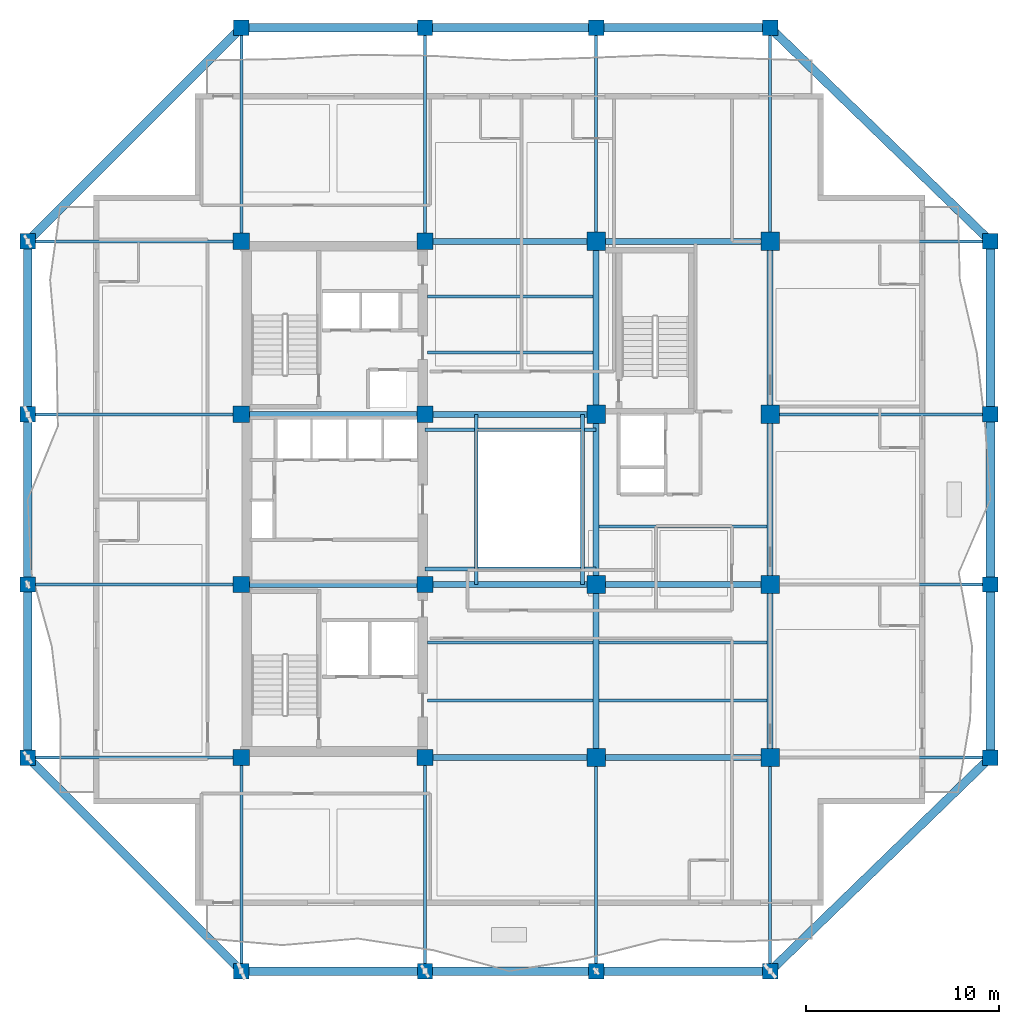
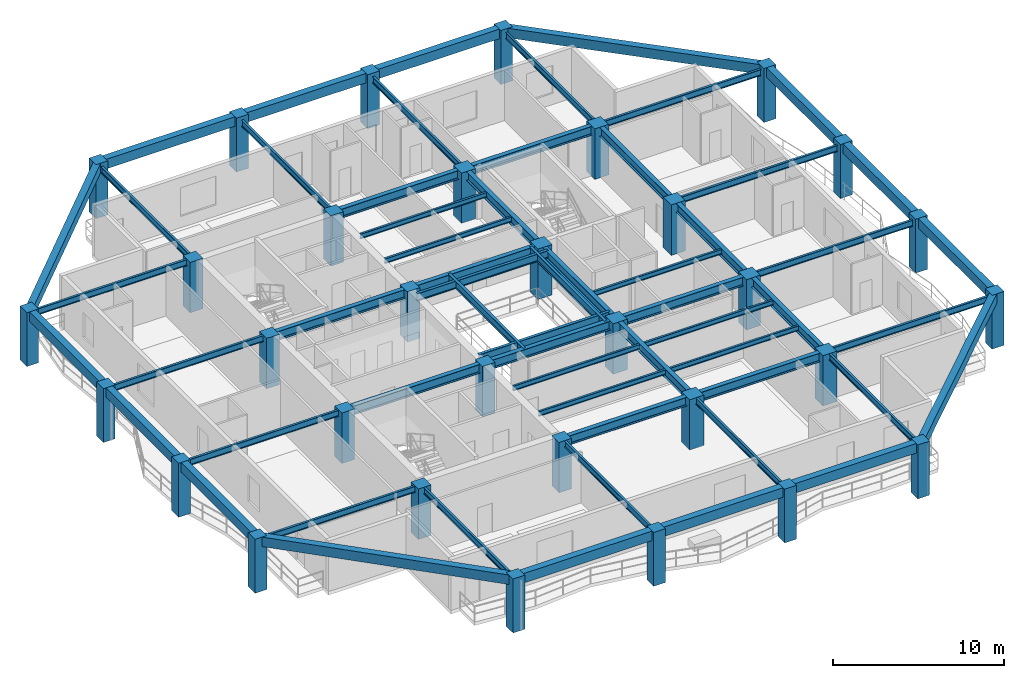
# One storey, part 1 of 12: 58 beams, 32 columns.
"""IFC4 building model written with IfcOpenShell, lengths in metres."""

from ifc_helpers import new_model, si_unit, direction, frame, origin, origin_2d, place, context, subcontext, project, spatial, rectangle, i_section, extrude, material, material_profile, profile_set, type_object, element, save


model = new_model("IFC4")

# Units and contexts
model_context = context("Model", 3, precision=1e-05, world=origin(), true_north=direction((0.0, 1.0)))
body_context = subcontext(model_context, "Body", "Model", "MODEL_VIEW")
ifc_project = project(units=[si_unit("LENGTHUNIT", "METRE"), si_unit("AREAUNIT", "SQUARE_METRE"), si_unit("VOLUMEUNIT", "CUBIC_METRE"), si_unit("PLANEANGLEUNIT", "RADIAN"), si_unit("MASSUNIT", "GRAM", prefix="KILO")], contexts=[model_context])

# Site, building, storey
site_placement = place(None, origin())
site = spatial("IfcSite", under=ifc_project, at=site_placement, CompositionType="ELEMENT")
building_placement = place(site_placement, origin())
building = spatial("IfcBuilding", under=site, at=building_placement, Name="Kundavana Baori Tower", CompositionType="ELEMENT")
storey_placement = place(building_placement, frame((0.0, 0.0, 196.39990234375)))
storey = spatial("IfcBuildingStorey", under=building, at=storey_placement, Name="L48", CompositionType="ELEMENT", Elevation=196.39990234375)

# Columns
ifc_material_1 = material(Name="Concrete C50/60", Category="concrete")
ifc_material_profile_1 = material_profile(ifc_material_1, rectangle(XDim=0.800048828125, YDim=0.800048828125, at=origin_2d()), Name="RC PF 800x800")
ifc_profile_set_1 = profile_set([ifc_material_profile_1], Name="Concrete C50/60")
column_type_1 = type_object("IfcColumnType", Name="COL-PF-800", PredefinedType="COLUMN", material=ifc_profile_set_1)
for number, where, z_axis, x_axis, name in (
    (1, (15.449951171875, 4.199951171875, 0.0), (0.0, 0.0, 1.0), (1.0, 0.0, 0.0), "L48 Stone-Clad Perimeter Frame Column PF-S1"),
    (2, (15.449951171875, 53.0, 0.0), (0.0, 0.0, 1.0), (1.0, 0.0, 0.0), "L48 Stone-Clad Perimeter Frame Column PF-N1"),
    (3, (24.949951171875, 4.199951171875, 0.0), (0.0, 0.0, 1.0), (1.0, 0.0, 0.0), "L48 Stone-Clad Perimeter Frame Column PF-S2"),
    (4, (24.949951171875, 53.0, 0.0), (0.0, 0.0, 1.0), (1.0, 0.0, 0.0), "L48 Stone-Clad Perimeter Frame Column PF-N2"),
    (5, (33.800048828125, 4.199951171875, 0.0), (0.0, 0.0, 1.0), (1.0, 0.0, 0.0), "L48 Stone-Clad Perimeter Frame Column PF-S3"),
    (6, (33.800048828125, 53.0, 0.0), (0.0, 0.0, 1.0), (1.0, 0.0, 0.0), "L48 Stone-Clad Perimeter Frame Column PF-N3"),
    (7, (42.800048828125, 4.199951171875, 0.0), (0.0, 0.0, 1.0), (1.0, 0.0, 0.0), "L48 Stone-Clad Perimeter Frame Column PF-S4"),
    (8, (42.800048828125, 53.0, 0.0), (0.0, 0.0, 1.0), (1.0, 0.0, 0.0), "L48 Stone-Clad Perimeter Frame Column PF-N4"),
    (9, (4.39990234375, 15.25, 0.0), (0.0, 0.0, 1.0), (1.0, 0.0, 0.0), "L48 Stone-Clad Perimeter Frame Column PF-W1"),
    (10, (54.199951171875, 15.25, 0.0), (0.0, 0.0, 1.0), (1.0, 0.0, 0.0), "L48 Stone-Clad Perimeter Frame Column PF-E1"),
    (11, (4.39990234375, 24.199951171875, 0.0), (0.0, 0.0, 1.0), (1.0, 0.0, 0.0), "L48 Stone-Clad Perimeter Frame Column PF-W2"),
    (12, (54.199951171875, 24.199951171875, 0.0), (0.0, 0.0, 1.0), (1.0, 0.0, 0.0), "L48 Stone-Clad Perimeter Frame Column PF-E2"),
    (13, (4.39990234375, 33.0, 0.0), (0.0, 0.0, 1.0), (1.0, 0.0, 0.0), "L48 Stone-Clad Perimeter Frame Column PF-W3"),
    (14, (54.199951171875, 33.0, 0.0), (0.0, 0.0, 1.0), (1.0, 0.0, 0.0), "L48 Stone-Clad Perimeter Frame Column PF-E3"),
    (15, (4.39990234375, 41.949951171875, 0.0), (0.0, 0.0, 1.0), (1.0, 0.0, 0.0), "L48 Stone-Clad Perimeter Frame Column PF-W4"),
    (16, (54.199951171875, 41.949951171875, 0.0), (0.0, 0.0, 1.0), (1.0, 0.0, 0.0), "L48 Stone-Clad Perimeter Frame Column PF-E4"),
):
    element("IfcColumn", number, at=place(storey_placement, frame(where, z_axis=z_axis, x_axis=x_axis)), inside=storey, type_object=column_type_1, Name=name, PredefinedType="COLUMN", context=body_context, shape_type="SweptSolid", body=[
        extrude(rectangle(XDim=0.800048828125, YDim=0.800048828125, at=origin_2d()), origin(), (0.0, 0.0, 1.0), 3.85009765625),
    ])
ifc_material_2 = material(Name="Concrete C50/60", Category="concrete")
ifc_material_profile_2 = material_profile(ifc_material_2, rectangle(XDim=0.85009765625, YDim=0.85009765625, at=origin_2d()), Name="RC 850x850")
ifc_profile_set_2 = profile_set([ifc_material_profile_2], Name="Concrete C50/60")
column_type_2 = type_object("IfcColumnType", Name="COL-RC-850", PredefinedType="COLUMN", material=ifc_profile_set_2)
for number, where, z_axis, x_axis, name in (
    (17, (15.449951171875, 15.25, 0.0), (0.0, 0.0, 1.0), (1.0, 0.0, 0.0), "L48 Interior Column IC-3C"),
    (18, (15.449951171875, 24.199951171875, 0.0), (0.0, 0.0, 1.0), (1.0, 0.0, 0.0), "L48 Interior Column IC-3D"),
    (19, (15.449951171875, 33.0, 0.0), (0.0, 0.0, 1.0), (1.0, 0.0, 0.0), "L48 Interior Column IC-3E"),
    (20, (15.449951171875, 41.949951171875, 0.0), (0.0, 0.0, 1.0), (1.0, 0.0, 0.0), "L48 Interior Column IC-3F"),
    (21, (24.949951171875, 15.25, 0.0), (0.0, 0.0, 1.0), (1.0, 0.0, 0.0), "L48 Interior Column IC-4C"),
    (22, (24.949951171875, 24.199951171875, 0.0), (0.0, 0.0, 1.0), (1.0, 0.0, 0.0), "L48 Interior Column IC-4D"),
    (23, (24.949951171875, 33.0, 0.0), (0.0, 0.0, 1.0), (1.0, 0.0, 0.0), "L48 Interior Column IC-4E"),
    (24, (24.949951171875, 41.949951171875, 0.0), (0.0, 0.0, 1.0), (1.0, 0.0, 0.0), "L48 Interior Column IC-4F"),
):
    element("IfcColumn", number, at=place(storey_placement, frame(where, z_axis=z_axis, x_axis=x_axis)), inside=storey, type_object=column_type_2, Name=name, PredefinedType="COLUMN", context=body_context, shape_type="SweptSolid", body=[
        extrude(rectangle(XDim=0.85009765625, YDim=0.85009765625, at=origin_2d()), origin(), (0.0, 0.0, 1.0), 3.60009765625),
    ])
ifc_material_3 = material(Name="Concrete C50/60", Category="concrete")
ifc_material_profile_3 = material_profile(ifc_material_3, rectangle(XDim=0.949951171875, YDim=0.949951171875, at=origin_2d()), Name="RC 950x950")
ifc_profile_set_3 = profile_set([ifc_material_profile_3], Name="Concrete C50/60")
column_type_3 = type_object("IfcColumnType", Name="COL-RC-950", PredefinedType="COLUMN", material=ifc_profile_set_3)
for number, where, z_axis, x_axis, name in (
    (25, (33.800048828125, 15.25, 0.0), (0.0, 0.0, 1.0), (1.0, 0.0, 0.0), "L48 Interior Column IC-5C"),
    (26, (33.800048828125, 24.199951171875, 0.0), (0.0, 0.0, 1.0), (1.0, 0.0, 0.0), "L48 Interior Column IC-5D"),
    (27, (33.800048828125, 33.0, 0.0), (0.0, 0.0, 1.0), (1.0, 0.0, 0.0), "L48 Interior Column IC-5E"),
    (28, (33.800048828125, 41.949951171875, 0.0), (0.0, 0.0, 1.0), (1.0, 0.0, 0.0), "L48 Interior Column IC-5F"),
    (29, (42.800048828125, 15.25, 0.0), (0.0, 0.0, 1.0), (1.0, 0.0, 0.0), "L48 Interior Column IC-6C"),
    (30, (42.800048828125, 24.199951171875, 0.0), (0.0, 0.0, 1.0), (1.0, 0.0, 0.0), "L48 Interior Column IC-6D"),
    (31, (42.800048828125, 33.0, 0.0), (0.0, 0.0, 1.0), (1.0, 0.0, 0.0), "L48 Interior Column IC-6E"),
    (32, (42.800048828125, 41.949951171875, 0.0), (0.0, 0.0, 1.0), (1.0, 0.0, 0.0), "L48 Interior Column IC-6F"),
):
    element("IfcColumn", number, at=place(storey_placement, frame(where, z_axis=z_axis, x_axis=x_axis)), inside=storey, type_object=column_type_3, Name=name, PredefinedType="COLUMN", context=body_context, shape_type="SweptSolid", body=[
        extrude(rectangle(XDim=0.949951171875, YDim=0.949951171875, at=origin_2d()), origin(), (0.0, 0.0, 1.0), 3.60009765625),
    ])

# Beams
ifc_material_4 = material(Name="Structural Steel S355JR", Category="steel")
ifc_material_profile_4 = material_profile(ifc_material_4, i_section(OverallWidth=0.139892578125, OverallDepth=0.35009765625, WebThickness=0.008056640625, FlangeThickness=0.01416015625, FilletRadius=0.013916015625, at=origin_2d()), Name="ISMB 350")
ifc_profile_set_4 = profile_set([ifc_material_profile_4], Name="Structural Steel S355JR")
beam_type_1 = type_object("IfcBeamType", Name="BM-JST-350", PredefinedType="JOIST", material=ifc_profile_set_4)
for number, where, z_axis, x_axis, name in (
    (33, (25.080078125, 18.199951171875, 3.425048828125), (1.0, 0.0, 0.0), (0.0, 1.0, 0.0), "L48 Central Bay Composite Floor Joist C1"),
    (34, (25.080078125, 21.199951171875, 3.425048828125), (1.0, 0.0, 0.0), (0.0, 1.0, 0.0), "L48 Central Bay Composite Floor Joist C2"),
    (35, (25.080078125, 36.199951171875, 3.425048828125), (1.0, 0.0, 0.0), (0.0, 1.0, 0.0), "L48 Central Bay Composite Floor Joist C3"),
    (36, (25.080078125, 39.10009765625, 3.425048828125), (1.0, 0.0, 0.0), (0.0, 1.0, 0.0), "L48 Central Bay Composite Floor Joist C4"),
):
    element("IfcBeam", number, at=place(storey_placement, frame(where, z_axis=z_axis, x_axis=x_axis)), inside=storey, type_object=beam_type_1, Name=name, PredefinedType="JOIST", context=body_context, shape_type="SweptSolid", body=[
        extrude(i_section(OverallWidth=0.139892578125, OverallDepth=0.35009765625, WebThickness=0.008056640625, FlangeThickness=0.01416015625, FilletRadius=0.013916015625, at=origin_2d()), origin(), (0.0, 0.0, 1.0), 8.56982421875),
    ])
for number, where, z_axis, x_axis, name in (
    (37, (33.949951171875, 18.199951171875, 3.425048828125), (1.0, 0.0, 0.0), (0.0, 1.0, 0.0), "L48 East Bay Composite Floor Joist E1"),
    (38, (33.949951171875, 21.199951171875, 3.425048828125), (1.0, 0.0, 0.0), (0.0, 1.0, 0.0), "L48 East Bay Composite Floor Joist E2"),
    (39, (33.949951171875, 27.199951171875, 3.425048828125), (1.0, 0.0, 0.0), (0.0, 1.0, 0.0), "L48 East Bay Composite Floor Joist E3"),
):
    element("IfcBeam", number, at=place(storey_placement, frame(where, z_axis=z_axis, x_axis=x_axis)), inside=storey, type_object=beam_type_1, Name=name, PredefinedType="JOIST", context=body_context, shape_type="SweptSolid", body=[
        extrude(i_section(OverallWidth=0.139892578125, OverallDepth=0.35009765625, WebThickness=0.008056640625, FlangeThickness=0.01416015625, FilletRadius=0.013916015625, at=origin_2d()), origin(), (0.0, 0.0, 1.0), 8.699951171875),
    ])
ifc_material_5 = material(Name="Concrete C50/60", Category="concrete")
ifc_material_profile_5 = material_profile(ifc_material_5, rectangle(XDim=0.449951171875, YDim=0.679931640625, at=origin_2d()), Name="RC BM 450x680")
ifc_profile_set_5 = profile_set([ifc_material_profile_5], Name="Concrete C50/60")
beam_type_2 = type_object("IfcBeamType", Name="BM-PF-680", PredefinedType="SPANDREL", material=ifc_profile_set_5)
beam_1_placement = place(storey_placement, frame((15.449951171875, 4.199951171875, 3.510009765625), z_axis=(1.0, 0.0, 0.0), x_axis=(0.0, 1.0, 0.0)))
element("IfcBeam", 40, at=beam_1_placement, inside=storey, type_object=beam_type_2, Name="L48 Perimeter Frame Ring Beam S1", PredefinedType="SPANDREL", context=body_context, shape_type="SweptSolid", body=[
    extrude(rectangle(XDim=0.449951171875, YDim=0.679931640625, at=origin_2d()), origin(), (0.0, 0.0, 1.0), 9.5),
])
beam_2_placement = place(storey_placement, frame((24.949951171875, 4.199951171875, 3.510009765625), z_axis=(1.0, 0.0, 0.0), x_axis=(0.0, 1.0, 0.0)))
element("IfcBeam", 41, at=beam_2_placement, inside=storey, type_object=beam_type_2, Name="L48 Perimeter Frame Ring Beam S2", PredefinedType="SPANDREL", context=body_context, shape_type="SweptSolid", body=[
    extrude(rectangle(XDim=0.449951171875, YDim=0.679931640625, at=origin_2d()), origin(), (0.0, 0.0, 1.0), 8.85009765625),
])
beam_3_placement = place(storey_placement, frame((33.800048828125, 4.199951171875, 3.510009765625), z_axis=(1.0, 0.0, 0.0), x_axis=(0.0, 1.0, 0.0)))
element("IfcBeam", 42, at=beam_3_placement, inside=storey, type_object=beam_type_2, Name="L48 Perimeter Frame Ring Beam S3", PredefinedType="SPANDREL", context=body_context, shape_type="SweptSolid", body=[
    extrude(rectangle(XDim=0.449951171875, YDim=0.679931640625, at=origin_2d()), origin(), (0.0, 0.0, 1.0), 9.0),
])
beam_4_placement = place(storey_placement, frame((15.449951171875, 53.0, 3.510009765625), z_axis=(1.0, 0.0, 0.0), x_axis=(0.0, 1.0, 0.0)))
element("IfcBeam", 43, at=beam_4_placement, inside=storey, type_object=beam_type_2, Name="L48 Perimeter Frame Ring Beam N1", PredefinedType="SPANDREL", context=body_context, shape_type="SweptSolid", body=[
    extrude(rectangle(XDim=0.449951171875, YDim=0.679931640625, at=origin_2d()), origin(), (0.0, 0.0, 1.0), 9.5),
])
beam_5_placement = place(storey_placement, frame((24.949951171875, 53.0, 3.510009765625), z_axis=(1.0, 0.0, 0.0), x_axis=(0.0, 1.0, 0.0)))
element("IfcBeam", 44, at=beam_5_placement, inside=storey, type_object=beam_type_2, Name="L48 Perimeter Frame Ring Beam N2", PredefinedType="SPANDREL", context=body_context, shape_type="SweptSolid", body=[
    extrude(rectangle(XDim=0.449951171875, YDim=0.679931640625, at=origin_2d()), origin(), (0.0, 0.0, 1.0), 8.85009765625),
])
beam_6_placement = place(storey_placement, frame((33.800048828125, 53.0, 3.510009765625), z_axis=(1.0, 0.0, 0.0), x_axis=(0.0, 1.0, 0.0)))
element("IfcBeam", 45, at=beam_6_placement, inside=storey, type_object=beam_type_2, Name="L48 Perimeter Frame Ring Beam N3", PredefinedType="SPANDREL", context=body_context, shape_type="SweptSolid", body=[
    extrude(rectangle(XDim=0.449951171875, YDim=0.679931640625, at=origin_2d()), origin(), (0.0, 0.0, 1.0), 9.0),
])
beam_7_placement = place(storey_placement, frame((4.39990234375, 15.25, 3.510009765625), z_axis=(0.0, 1.0, 0.0), x_axis=(-1.0, 0.0, 0.0)))
element("IfcBeam", 46, at=beam_7_placement, inside=storey, type_object=beam_type_2, Name="L48 Perimeter Frame Ring Beam W1", PredefinedType="SPANDREL", context=body_context, shape_type="SweptSolid", body=[
    extrude(rectangle(XDim=0.449951171875, YDim=0.679931640625, at=origin_2d()), origin(), (0.0, 0.0, 1.0), 8.949951171875),
])
beam_8_placement = place(storey_placement, frame((4.39990234375, 24.199951171875, 3.510009765625), z_axis=(0.0, 1.0, 0.0), x_axis=(-1.0, 0.0, 0.0)))
element("IfcBeam", 47, at=beam_8_placement, inside=storey, type_object=beam_type_2, Name="L48 Perimeter Frame Ring Beam W2", PredefinedType="SPANDREL", context=body_context, shape_type="SweptSolid", body=[
    extrude(rectangle(XDim=0.449951171875, YDim=0.679931640625, at=origin_2d()), origin(), (0.0, 0.0, 1.0), 8.800048828125),
])
for number, where, z_axis, x_axis, name in (
    (48, (4.39990234375, 33.0, 3.510009765625), (0.0, 1.0, 0.0), (-1.0, 0.0, 0.0), "L48 Perimeter Frame Ring Beam W3"),
    (49, (54.199951171875, 15.25, 3.510009765625), (0.0, 1.0, 0.0), (-1.0, 0.0, 0.0), "L48 Perimeter Frame Ring Beam E1"),
):
    element("IfcBeam", number, at=place(storey_placement, frame(where, z_axis=z_axis, x_axis=x_axis)), inside=storey, type_object=beam_type_2, Name=name, PredefinedType="SPANDREL", context=body_context, shape_type="SweptSolid", body=[
        extrude(rectangle(XDim=0.449951171875, YDim=0.679931640625, at=origin_2d()), origin(), (0.0, 0.0, 1.0), 8.949951171875),
    ])
beam_9_placement = place(storey_placement, frame((54.199951171875, 24.199951171875, 3.510009765625), z_axis=(0.0, 1.0, 0.0), x_axis=(-1.0, 0.0, 0.0)))
element("IfcBeam", 50, at=beam_9_placement, inside=storey, type_object=beam_type_2, Name="L48 Perimeter Frame Ring Beam E2", PredefinedType="SPANDREL", context=body_context, shape_type="SweptSolid", body=[
    extrude(rectangle(XDim=0.449951171875, YDim=0.679931640625, at=origin_2d()), origin(), (0.0, 0.0, 1.0), 8.800048828125),
])
beam_10_placement = place(storey_placement, frame((54.199951171875, 33.0, 3.510009765625), z_axis=(0.0, 1.0, 0.0), x_axis=(-1.0, 0.0, 0.0)))
element("IfcBeam", 51, at=beam_10_placement, inside=storey, type_object=beam_type_2, Name="L48 Perimeter Frame Ring Beam E3", PredefinedType="SPANDREL", context=body_context, shape_type="SweptSolid", body=[
    extrude(rectangle(XDim=0.449951171875, YDim=0.679931640625, at=origin_2d()), origin(), (0.0, 0.0, 1.0), 8.949951171875),
])
beam_11_placement = place(storey_placement, frame((15.449951171875, 4.199951171875, 3.510009765625), z_axis=(-0.707106781187, 0.707106781187, 0.0), x_axis=(-0.707106781187, -0.707106781187, 0.0)))
element("IfcBeam", 52, at=beam_11_placement, inside=storey, type_object=beam_type_2, Name="L48 Notched Corner Perimeter Beam SW", PredefinedType="SPANDREL", context=body_context, shape_type="SweptSolid", body=[
    extrude(rectangle(XDim=0.449951171875, YDim=0.679931640625, at=origin_2d()), origin(), (0.0, 0.0, 1.0), 15.627197265625),
])
beam_12_placement = place(storey_placement, frame((42.800048828125, 4.199951171875, 3.510009765625), z_axis=(0.718038944492, 0.696002926857, 0.0), x_axis=(-0.696002926857, 0.718038944492, 0.0)))
element("IfcBeam", 53, at=beam_12_placement, inside=storey, type_object=beam_type_2, Name="L48 Notched Corner Perimeter Beam SE", PredefinedType="SPANDREL", context=body_context, shape_type="SweptSolid", body=[
    extrude(rectangle(XDim=0.449951171875, YDim=0.679931640625, at=origin_2d()), origin(), (0.0, 0.0, 1.0), 15.87646484375),
])
beam_13_placement = place(storey_placement, frame((15.449951171875, 53.0, 3.510009765625), z_axis=(-0.707106781187, -0.707106781187, 0.0), x_axis=(0.707106781187, -0.707106781187, 0.0)))
element("IfcBeam", 54, at=beam_13_placement, inside=storey, type_object=beam_type_2, Name="L48 Notched Corner Perimeter Beam NW", PredefinedType="SPANDREL", context=body_context, shape_type="SweptSolid", body=[
    extrude(rectangle(XDim=0.449951171875, YDim=0.679931640625, at=origin_2d()), origin(), (0.0, 0.0, 1.0), 15.627197265625),
])
beam_14_placement = place(storey_placement, frame((42.800048828125, 53.0, 3.510009765625), z_axis=(0.718038944492, -0.696002926857, 0.0), x_axis=(0.696002926857, 0.718038944492, 0.0)))
element("IfcBeam", 55, at=beam_14_placement, inside=storey, type_object=beam_type_2, Name="L48 Notched Corner Perimeter Beam NE", PredefinedType="SPANDREL", context=body_context, shape_type="SweptSolid", body=[
    extrude(rectangle(XDim=0.449951171875, YDim=0.679931640625, at=origin_2d()), origin(), (0.0, 0.0, 1.0), 15.87646484375),
])
ifc_material_6 = material(Name="Structural Steel S355JR", Category="steel")
ifc_material_profile_6 = material_profile(ifc_material_6, i_section(OverallWidth=0.18994140625, OverallDepth=0.550048828125, WebThickness=0.01123046875, FlangeThickness=0.019287109375, FilletRadius=0.01806640625, at=origin_2d()), Name="ISMB 550")
ifc_profile_set_6 = profile_set([ifc_material_profile_6], Name="Structural Steel S355JR")
beam_type_3 = type_object("IfcBeamType", Name="BM-ST-550", PredefinedType="BEAM", material=ifc_profile_set_6)
for number, where, z_axis, x_axis, name in (
    (56, (27.60009765625, 24.199951171875, 3.3251953125), (0.0, 1.0, 0.0), (-1.0, 0.0, 0.0), "L48 Atrium West Edge Beam"),
    (57, (33.10009765625, 24.199951171875, 3.3251953125), (0.0, 1.0, 0.0), (-1.0, 0.0, 0.0), "L48 Atrium East Edge Beam"),
):
    element("IfcBeam", number, at=place(storey_placement, frame(where, z_axis=z_axis, x_axis=x_axis)), inside=storey, type_object=beam_type_3, Name=name, PredefinedType="BEAM", context=body_context, shape_type="SweptSolid", body=[
        extrude(i_section(OverallWidth=0.18994140625, OverallDepth=0.550048828125, WebThickness=0.01123046875, FlangeThickness=0.019287109375, FilletRadius=0.01806640625, at=origin_2d()), origin(), (0.0, 0.0, 1.0), 8.800048828125),
    ])
for number, where, z_axis, x_axis, name in (
    (58, (24.949951171875, 25.0, 3.3251953125), (1.0, 0.0, 0.0), (0.0, 1.0, 0.0), "L48 Atrium South Edge Beam"),
    (59, (24.949951171875, 32.199951171875, 3.3251953125), (1.0, 0.0, 0.0), (0.0, 1.0, 0.0), "L48 Atrium North Edge Beam"),
):
    element("IfcBeam", number, at=place(storey_placement, frame(where, z_axis=z_axis, x_axis=x_axis)), inside=storey, type_object=beam_type_3, Name=name, PredefinedType="BEAM", context=body_context, shape_type="SweptSolid", body=[
        extrude(i_section(OverallWidth=0.18994140625, OverallDepth=0.550048828125, WebThickness=0.01123046875, FlangeThickness=0.019287109375, FilletRadius=0.01806640625, at=origin_2d()), origin(), (0.0, 0.0, 1.0), 8.85009765625),
    ])
ifc_material_7 = material(Name="Structural Steel S355JR", Category="steel")
ifc_material_profile_7 = material_profile(ifc_material_7, i_section(OverallWidth=0.300048828125, OverallDepth=0.64990234375, WebThickness=0.013427734375, FlangeThickness=0.02197265625, FilletRadius=0.02392578125, at=origin_2d()), Name="NPB 650x300x155")
ifc_profile_set_7 = profile_set([ifc_material_profile_7], Name="Structural Steel S355JR")
beam_type_4 = type_object("IfcBeamType", Name="BM-ST-650", PredefinedType="BEAM", material=ifc_profile_set_7)
beam_15_placement = place(storey_placement, frame((24.949951171875, 15.25, 3.275146484375), z_axis=(1.0, 0.0, 0.0), x_axis=(0.0, 1.0, 0.0)))
element("IfcBeam", 60, at=beam_15_placement, inside=storey, type_object=beam_type_4, Name="L48 Primary Grid Girder GX-1-2", PredefinedType="BEAM", context=body_context, shape_type="SweptSolid", body=[
    extrude(i_section(OverallWidth=0.300048828125, OverallDepth=0.64990234375, WebThickness=0.013427734375, FlangeThickness=0.02197265625, FilletRadius=0.02392578125, at=origin_2d()), origin(), (0.0, 0.0, 1.0), 8.85009765625),
])
beam_16_placement = place(storey_placement, frame((33.800048828125, 15.25, 3.275146484375), z_axis=(1.0, 0.0, 0.0), x_axis=(0.0, 1.0, 0.0)))
element("IfcBeam", 61, at=beam_16_placement, inside=storey, type_object=beam_type_4, Name="L48 Primary Grid Girder GX-1-3", PredefinedType="BEAM", context=body_context, shape_type="SweptSolid", body=[
    extrude(i_section(OverallWidth=0.300048828125, OverallDepth=0.64990234375, WebThickness=0.013427734375, FlangeThickness=0.02197265625, FilletRadius=0.02392578125, at=origin_2d()), origin(), (0.0, 0.0, 1.0), 9.0),
])
beam_17_placement = place(storey_placement, frame((15.449951171875, 24.199951171875, 3.275146484375), z_axis=(1.0, 0.0, 0.0), x_axis=(0.0, 1.0, 0.0)))
element("IfcBeam", 62, at=beam_17_placement, inside=storey, type_object=beam_type_4, Name="L48 Primary Grid Girder GX-2-1", PredefinedType="BEAM", context=body_context, shape_type="SweptSolid", body=[
    extrude(i_section(OverallWidth=0.300048828125, OverallDepth=0.64990234375, WebThickness=0.013427734375, FlangeThickness=0.02197265625, FilletRadius=0.02392578125, at=origin_2d()), origin(), (0.0, 0.0, 1.0), 9.5),
])
beam_18_placement = place(storey_placement, frame((24.949951171875, 24.199951171875, 3.275146484375), z_axis=(1.0, 0.0, 0.0), x_axis=(0.0, 1.0, 0.0)))
element("IfcBeam", 63, at=beam_18_placement, inside=storey, type_object=beam_type_4, Name="L48 Primary Grid Girder GX-2-2", PredefinedType="BEAM", context=body_context, shape_type="SweptSolid", body=[
    extrude(i_section(OverallWidth=0.300048828125, OverallDepth=0.64990234375, WebThickness=0.013427734375, FlangeThickness=0.02197265625, FilletRadius=0.02392578125, at=origin_2d()), origin(), (0.0, 0.0, 1.0), 8.85009765625),
])
beam_19_placement = place(storey_placement, frame((33.800048828125, 24.199951171875, 3.275146484375), z_axis=(1.0, 0.0, 0.0), x_axis=(0.0, 1.0, 0.0)))
element("IfcBeam", 64, at=beam_19_placement, inside=storey, type_object=beam_type_4, Name="L48 Primary Grid Girder GX-2-3", PredefinedType="BEAM", context=body_context, shape_type="SweptSolid", body=[
    extrude(i_section(OverallWidth=0.300048828125, OverallDepth=0.64990234375, WebThickness=0.013427734375, FlangeThickness=0.02197265625, FilletRadius=0.02392578125, at=origin_2d()), origin(), (0.0, 0.0, 1.0), 9.0),
])
beam_20_placement = place(storey_placement, frame((15.449951171875, 33.0, 3.275146484375), z_axis=(1.0, 0.0, 0.0), x_axis=(0.0, 1.0, 0.0)))
element("IfcBeam", 65, at=beam_20_placement, inside=storey, type_object=beam_type_4, Name="L48 Primary Grid Girder GX-3-1", PredefinedType="BEAM", context=body_context, shape_type="SweptSolid", body=[
    extrude(i_section(OverallWidth=0.300048828125, OverallDepth=0.64990234375, WebThickness=0.013427734375, FlangeThickness=0.02197265625, FilletRadius=0.02392578125, at=origin_2d()), origin(), (0.0, 0.0, 1.0), 9.5),
])
for number, where, z_axis, x_axis, name in (
    (66, (24.949951171875, 33.0, 3.275146484375), (1.0, 0.0, 0.0), (0.0, 1.0, 0.0), "L48 Primary Grid Girder GX-3-2"),
    (67, (24.949951171875, 41.949951171875, 3.275146484375), (1.0, 0.0, 0.0), (0.0, 1.0, 0.0), "L48 Primary Grid Girder GX-4-2"),
):
    element("IfcBeam", number, at=place(storey_placement, frame(where, z_axis=z_axis, x_axis=x_axis)), inside=storey, type_object=beam_type_4, Name=name, PredefinedType="BEAM", context=body_context, shape_type="SweptSolid", body=[
        extrude(i_section(OverallWidth=0.300048828125, OverallDepth=0.64990234375, WebThickness=0.013427734375, FlangeThickness=0.02197265625, FilletRadius=0.02392578125, at=origin_2d()), origin(), (0.0, 0.0, 1.0), 8.85009765625),
    ])
beam_21_placement = place(storey_placement, frame((33.800048828125, 41.949951171875, 3.275146484375), z_axis=(1.0, 0.0, 0.0), x_axis=(0.0, 1.0, 0.0)))
element("IfcBeam", 68, at=beam_21_placement, inside=storey, type_object=beam_type_4, Name="L48 Primary Grid Girder GX-4-3", PredefinedType="BEAM", context=body_context, shape_type="SweptSolid", body=[
    extrude(i_section(OverallWidth=0.300048828125, OverallDepth=0.64990234375, WebThickness=0.013427734375, FlangeThickness=0.02197265625, FilletRadius=0.02392578125, at=origin_2d()), origin(), (0.0, 0.0, 1.0), 9.0),
])
beam_22_placement = place(storey_placement, frame((33.800048828125, 15.25, 3.275146484375), z_axis=(0.0, 1.0, 0.0), x_axis=(-1.0, 0.0, 0.0)))
element("IfcBeam", 69, at=beam_22_placement, inside=storey, type_object=beam_type_4, Name="L48 Primary Grid Girder GY-3-1", PredefinedType="BEAM", context=body_context, shape_type="SweptSolid", body=[
    extrude(i_section(OverallWidth=0.300048828125, OverallDepth=0.64990234375, WebThickness=0.013427734375, FlangeThickness=0.02197265625, FilletRadius=0.02392578125, at=origin_2d()), origin(), (0.0, 0.0, 1.0), 8.949951171875),
])
beam_23_placement = place(storey_placement, frame((33.800048828125, 24.199951171875, 3.275146484375), z_axis=(0.0, 1.0, 0.0), x_axis=(-1.0, 0.0, 0.0)))
element("IfcBeam", 70, at=beam_23_placement, inside=storey, type_object=beam_type_4, Name="L48 Primary Grid Girder GY-3-2", PredefinedType="BEAM", context=body_context, shape_type="SweptSolid", body=[
    extrude(i_section(OverallWidth=0.300048828125, OverallDepth=0.64990234375, WebThickness=0.013427734375, FlangeThickness=0.02197265625, FilletRadius=0.02392578125, at=origin_2d()), origin(), (0.0, 0.0, 1.0), 8.800048828125),
])
for number, where, z_axis, x_axis, name in (
    (71, (33.800048828125, 33.0, 3.275146484375), (0.0, 1.0, 0.0), (-1.0, 0.0, 0.0), "L48 Primary Grid Girder GY-3-3"),
    (72, (42.800048828125, 15.25, 3.275146484375), (0.0, 1.0, 0.0), (-1.0, 0.0, 0.0), "L48 Primary Grid Girder GY-4-1"),
):
    element("IfcBeam", number, at=place(storey_placement, frame(where, z_axis=z_axis, x_axis=x_axis)), inside=storey, type_object=beam_type_4, Name=name, PredefinedType="BEAM", context=body_context, shape_type="SweptSolid", body=[
        extrude(i_section(OverallWidth=0.300048828125, OverallDepth=0.64990234375, WebThickness=0.013427734375, FlangeThickness=0.02197265625, FilletRadius=0.02392578125, at=origin_2d()), origin(), (0.0, 0.0, 1.0), 8.949951171875),
    ])
beam_24_placement = place(storey_placement, frame((42.800048828125, 24.199951171875, 3.275146484375), z_axis=(0.0, 1.0, 0.0), x_axis=(-1.0, 0.0, 0.0)))
element("IfcBeam", 73, at=beam_24_placement, inside=storey, type_object=beam_type_4, Name="L48 Primary Grid Girder GY-4-2", PredefinedType="BEAM", context=body_context, shape_type="SweptSolid", body=[
    extrude(i_section(OverallWidth=0.300048828125, OverallDepth=0.64990234375, WebThickness=0.013427734375, FlangeThickness=0.02197265625, FilletRadius=0.02392578125, at=origin_2d()), origin(), (0.0, 0.0, 1.0), 8.800048828125),
])
beam_25_placement = place(storey_placement, frame((42.800048828125, 33.0, 3.275146484375), z_axis=(0.0, 1.0, 0.0), x_axis=(-1.0, 0.0, 0.0)))
element("IfcBeam", 74, at=beam_25_placement, inside=storey, type_object=beam_type_4, Name="L48 Primary Grid Girder GY-4-3", PredefinedType="BEAM", context=body_context, shape_type="SweptSolid", body=[
    extrude(i_section(OverallWidth=0.300048828125, OverallDepth=0.64990234375, WebThickness=0.013427734375, FlangeThickness=0.02197265625, FilletRadius=0.02392578125, at=origin_2d()), origin(), (0.0, 0.0, 1.0), 8.949951171875),
])
ifc_material_8 = material(Name="Structural Steel S355JR", Category="steel")
ifc_material_profile_8 = material_profile(ifc_material_8, i_section(OverallWidth=0.14990234375, OverallDepth=0.449951171875, WebThickness=0.009521484375, FlangeThickness=0.017333984375, FilletRadius=0.014892578125, at=origin_2d()), Name="ISMB 450")
ifc_profile_set_8 = profile_set([ifc_material_profile_8], Name="Structural Steel S355JR")
beam_type_5 = type_object("IfcBeamType", Name="BM-TIE-450", PredefinedType="BEAM", material=ifc_profile_set_8)
for number, where, z_axis, x_axis, name in (
    (75, (15.449951171875, 15.25, 3.375), (0.0, -1.0, 0.0), (1.0, 0.0, 0.0), "L48 South Radial Loggia Tie Beam S1"),
    (76, (15.449951171875, 41.949951171875, 3.375), (0.0, 1.0, 0.0), (-1.0, 0.0, 0.0), "L48 North Radial Loggia Tie Beam N1"),
    (77, (24.949951171875, 15.25, 3.375), (0.0, -1.0, 0.0), (1.0, 0.0, 0.0), "L48 South Radial Loggia Tie Beam S2"),
    (78, (24.949951171875, 41.949951171875, 3.375), (0.0, 1.0, 0.0), (-1.0, 0.0, 0.0), "L48 North Radial Loggia Tie Beam N2"),
    (79, (33.800048828125, 15.25, 3.375), (0.0, -1.0, 0.0), (1.0, 0.0, 0.0), "L48 South Radial Loggia Tie Beam S3"),
    (80, (33.800048828125, 41.949951171875, 3.375), (0.0, 1.0, 0.0), (-1.0, 0.0, 0.0), "L48 North Radial Loggia Tie Beam N3"),
    (81, (42.800048828125, 15.25, 3.375), (0.0, -1.0, 0.0), (1.0, 0.0, 0.0), "L48 South Radial Loggia Tie Beam S4"),
    (82, (42.800048828125, 41.949951171875, 3.375), (0.0, 1.0, 0.0), (-1.0, 0.0, 0.0), "L48 North Radial Loggia Tie Beam N4"),
    (83, (15.449951171875, 15.25, 3.375), (-1.0, 0.0, 0.0), (0.0, -1.0, 0.0), "L48 West Radial Loggia Tie Beam W1"),
):
    element("IfcBeam", number, at=place(storey_placement, frame(where, z_axis=z_axis, x_axis=x_axis)), inside=storey, type_object=beam_type_5, Name=name, PredefinedType="BEAM", context=body_context, shape_type="SweptSolid", body=[
        extrude(i_section(OverallWidth=0.14990234375, OverallDepth=0.449951171875, WebThickness=0.009521484375, FlangeThickness=0.017333984375, FilletRadius=0.014892578125, at=origin_2d()), origin(), (0.0, 0.0, 1.0), 11.050048828125),
    ])
beam_26_placement = place(storey_placement, frame((42.800048828125, 15.25, 3.375), z_axis=(1.0, 0.0, 0.0), x_axis=(0.0, 1.0, 0.0)))
element("IfcBeam", 84, at=beam_26_placement, inside=storey, type_object=beam_type_5, Name="L48 East Radial Loggia Tie Beam E1", PredefinedType="BEAM", context=body_context, shape_type="SweptSolid", body=[
    extrude(i_section(OverallWidth=0.14990234375, OverallDepth=0.449951171875, WebThickness=0.009521484375, FlangeThickness=0.017333984375, FilletRadius=0.014892578125, at=origin_2d()), origin(), (0.0, 0.0, 1.0), 11.39990234375),
])
beam_27_placement = place(storey_placement, frame((15.449951171875, 24.199951171875, 3.375), z_axis=(-1.0, 0.0, 0.0), x_axis=(0.0, -1.0, 0.0)))
element("IfcBeam", 85, at=beam_27_placement, inside=storey, type_object=beam_type_5, Name="L48 West Radial Loggia Tie Beam W2", PredefinedType="BEAM", context=body_context, shape_type="SweptSolid", body=[
    extrude(i_section(OverallWidth=0.14990234375, OverallDepth=0.449951171875, WebThickness=0.009521484375, FlangeThickness=0.017333984375, FilletRadius=0.014892578125, at=origin_2d()), origin(), (0.0, 0.0, 1.0), 11.050048828125),
])
beam_28_placement = place(storey_placement, frame((42.800048828125, 24.199951171875, 3.375), z_axis=(1.0, 0.0, 0.0), x_axis=(0.0, 1.0, 0.0)))
element("IfcBeam", 86, at=beam_28_placement, inside=storey, type_object=beam_type_5, Name="L48 East Radial Loggia Tie Beam E2", PredefinedType="BEAM", context=body_context, shape_type="SweptSolid", body=[
    extrude(i_section(OverallWidth=0.14990234375, OverallDepth=0.449951171875, WebThickness=0.009521484375, FlangeThickness=0.017333984375, FilletRadius=0.014892578125, at=origin_2d()), origin(), (0.0, 0.0, 1.0), 11.39990234375),
])
beam_29_placement = place(storey_placement, frame((15.449951171875, 33.0, 3.375), z_axis=(-1.0, 0.0, 0.0), x_axis=(0.0, -1.0, 0.0)))
element("IfcBeam", 87, at=beam_29_placement, inside=storey, type_object=beam_type_5, Name="L48 West Radial Loggia Tie Beam W3", PredefinedType="BEAM", context=body_context, shape_type="SweptSolid", body=[
    extrude(i_section(OverallWidth=0.14990234375, OverallDepth=0.449951171875, WebThickness=0.009521484375, FlangeThickness=0.017333984375, FilletRadius=0.014892578125, at=origin_2d()), origin(), (0.0, 0.0, 1.0), 11.050048828125),
])
beam_30_placement = place(storey_placement, frame((42.800048828125, 33.0, 3.375), z_axis=(1.0, 0.0, 0.0), x_axis=(0.0, 1.0, 0.0)))
element("IfcBeam", 88, at=beam_30_placement, inside=storey, type_object=beam_type_5, Name="L48 East Radial Loggia Tie Beam E3", PredefinedType="BEAM", context=body_context, shape_type="SweptSolid", body=[
    extrude(i_section(OverallWidth=0.14990234375, OverallDepth=0.449951171875, WebThickness=0.009521484375, FlangeThickness=0.017333984375, FilletRadius=0.014892578125, at=origin_2d()), origin(), (0.0, 0.0, 1.0), 11.39990234375),
])
beam_31_placement = place(storey_placement, frame((15.449951171875, 41.949951171875, 3.375), z_axis=(-1.0, 0.0, 0.0), x_axis=(0.0, -1.0, 0.0)))
element("IfcBeam", 89, at=beam_31_placement, inside=storey, type_object=beam_type_5, Name="L48 West Radial Loggia Tie Beam W4", PredefinedType="BEAM", context=body_context, shape_type="SweptSolid", body=[
    extrude(i_section(OverallWidth=0.14990234375, OverallDepth=0.449951171875, WebThickness=0.009521484375, FlangeThickness=0.017333984375, FilletRadius=0.014892578125, at=origin_2d()), origin(), (0.0, 0.0, 1.0), 11.050048828125),
])
beam_32_placement = place(storey_placement, frame((42.800048828125, 41.949951171875, 3.375), z_axis=(1.0, 0.0, 0.0), x_axis=(0.0, 1.0, 0.0)))
element("IfcBeam", 90, at=beam_32_placement, inside=storey, type_object=beam_type_5, Name="L48 East Radial Loggia Tie Beam E4", PredefinedType="BEAM", context=body_context, shape_type="SweptSolid", body=[
    extrude(i_section(OverallWidth=0.14990234375, OverallDepth=0.449951171875, WebThickness=0.009521484375, FlangeThickness=0.017333984375, FilletRadius=0.014892578125, at=origin_2d()), origin(), (0.0, 0.0, 1.0), 11.39990234375),
])

save(model, "model.ifc")
